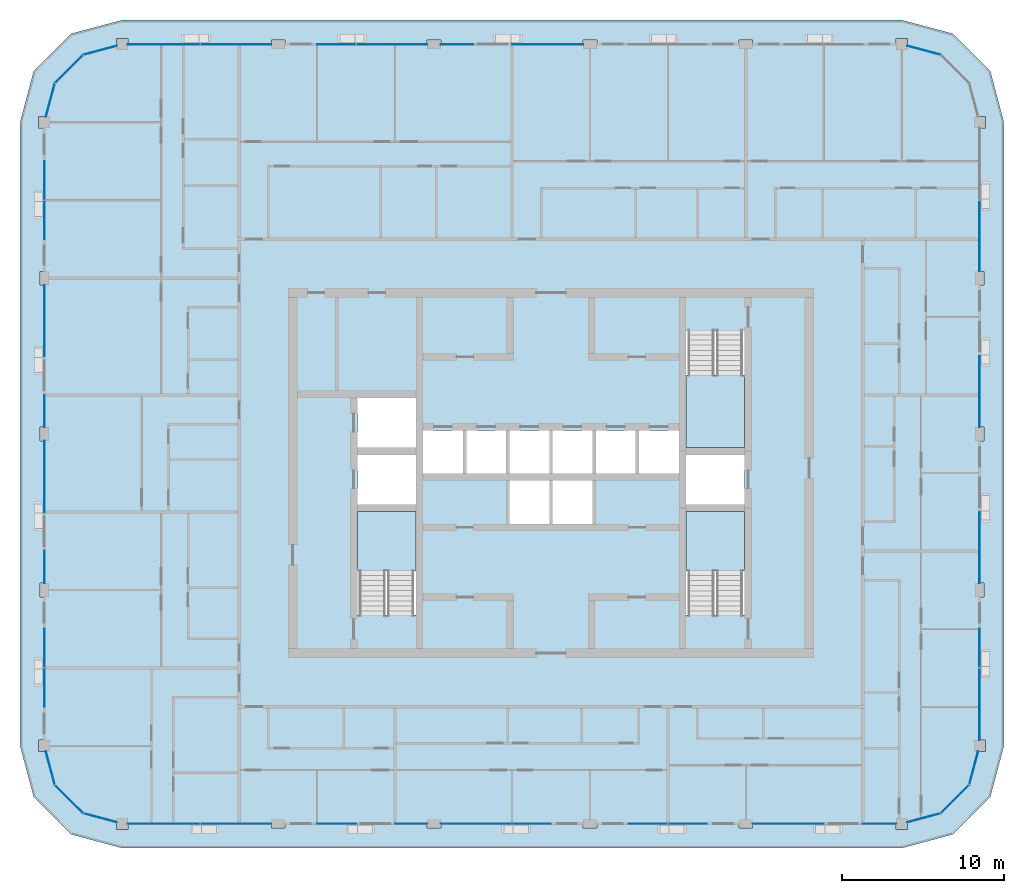
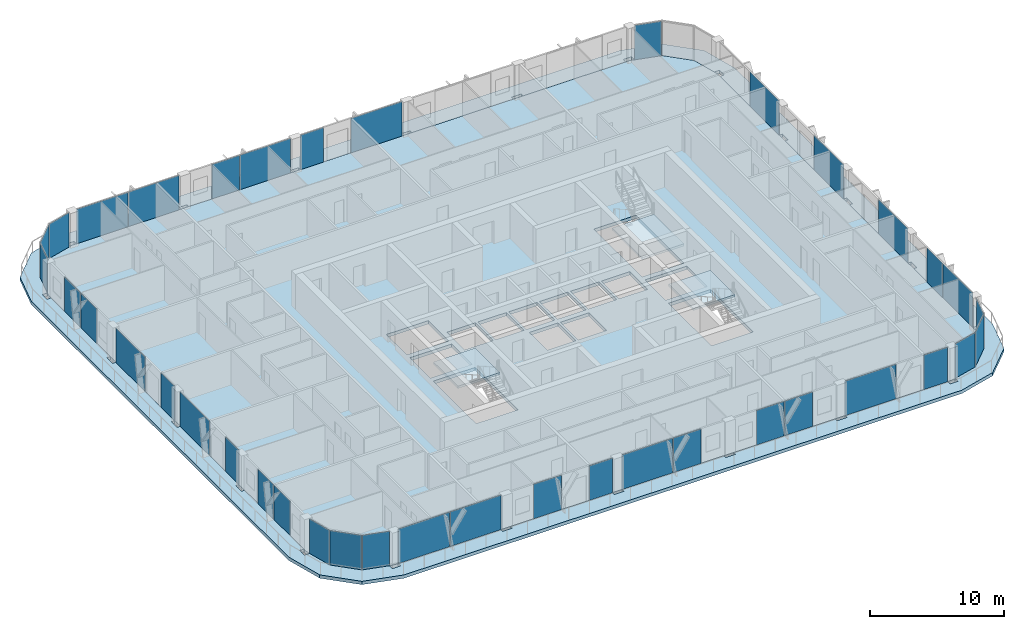
# One storey, part 7 of 21: 39 plates, 5 slabs, 23 elements without a shape of their own.
"""IFC4 building model written with IfcOpenShell, lengths in metres."""

from ifc_helpers import new_model, si_unit, direction, frame, origin, origin_2d, place, context, subcontext, project, spatial, polyline, rectangle, outline, extrude, material, layer, layer_set, type_object, element, aggregate, save


model = new_model("IFC4")

# Units and contexts
model_context = context("Model", 3, precision=1e-05, world=origin(), true_north=direction((0.0, 1.0)))
body_context = subcontext(model_context, "Body", "Model", "MODEL_VIEW")
ifc_project = project(units=[si_unit("LENGTHUNIT", "METRE"), si_unit("AREAUNIT", "SQUARE_METRE"), si_unit("VOLUMEUNIT", "CUBIC_METRE"), si_unit("PLANEANGLEUNIT", "RADIAN"), si_unit("MASSUNIT", "GRAM", prefix="KILO")], contexts=[model_context])

# Site, building, storey
site_placement = place(None, origin())
site = spatial("IfcSite", under=ifc_project, at=site_placement, CompositionType="ELEMENT")
building_placement = place(site_placement, origin())
building = spatial("IfcBuilding", under=site, at=building_placement, Name="Madar Terraces", CompositionType="ELEMENT")
storey_placement = place(building_placement, frame((0.0, 0.0, 252.699951171875)))
storey = spatial("IfcBuildingStorey", under=building, at=storey_placement, Name="L66", CompositionType="ELEMENT", Elevation=252.699951171875)

# Slabs
ifc_material_1 = material(Name="Concrete C50/60", Category="concrete")
ifc_layer_1 = layer(ifc_material_1, 0.300048828125)
ifc_layer_set_1 = layer_set([ifc_layer_1], Name="Balcony band 300")
slab_type_1 = type_object("IfcSlabType", Name="Balcony band 300", PredefinedType="FLOOR", material=ifc_layer_set_1)
slab_1_placement = place(storey_placement, frame((0.0, 0.0, -0.300048828125)))
element("IfcSlab", 1, at=slab_1_placement, inside=storey, type_object=slab_type_1, Name="Balcony band", PredefinedType="FLOOR", context=body_context, shape_type="SweptSolid", body=[
    extrude(outline(polyline([(4.800048828125, 3.300048828125), (1.64990234375, 4.14404296875), (-0.656005859375, 6.449951171875), (-1.5, 9.60009765625), (-1.5, 48.0), (-0.656005859375, 51.14990234375), (1.64990234375, 53.4560546875), (4.800048828125, 54.300048828125), (52.800048828125, 54.300048828125), (55.949951171875, 53.4560546875), (58.256103515625, 51.14990234375), (59.10009765625, 48.0), (59.10009765625, 9.60009765625), (58.256103515625, 6.449951171875), (55.949951171875, 4.14404296875), (52.800048828125, 3.300048828125), (4.800048828125, 3.300048828125)]), holes=[polyline([(5.14990234375, 4.449951171875), (5.14990234375, 4.800048828125), (13.97509765625, 4.800048828125), (13.97509765625, 4.52490234375), (14.824951171875, 4.52490234375), (14.824951171875, 4.800048828125), (23.574951171875, 4.800048828125), (23.574951171875, 4.52490234375), (24.425048828125, 4.52490234375), (24.425048828125, 4.800048828125), (33.175048828125, 4.800048828125), (33.175048828125, 4.52490234375), (34.02490234375, 4.52490234375), (34.02490234375, 4.800048828125), (42.77490234375, 4.800048828125), (42.77490234375, 4.52490234375), (43.625, 4.52490234375), (43.625, 4.800048828125), (52.449951171875, 4.800048828125), (52.449951171875, 4.449951171875), (53.14990234375, 4.449951171875), (53.14990234375, 4.893798828125), (55.199951171875, 5.443115234375), (56.956787109375, 7.199951171875), (57.506103515625, 9.25), (57.949951171875, 9.25), (57.949951171875, 9.949951171875), (57.60009765625, 9.949951171875), (57.60009765625, 18.77490234375), (57.875, 18.77490234375), (57.875, 19.625), (57.60009765625, 19.625), (57.60009765625, 28.375), (57.875, 28.375), (57.875, 29.22509765625), (57.60009765625, 29.22509765625), (57.60009765625, 37.97509765625), (57.875, 37.97509765625), (57.875, 38.824951171875), (57.60009765625, 38.824951171875), (57.60009765625, 47.64990234375), (57.949951171875, 47.64990234375), (57.949951171875, 48.35009765625), (57.506103515625, 48.35009765625), (56.956787109375, 50.39990234375), (55.199951171875, 52.156982421875), (53.14990234375, 52.706298828125), (53.14990234375, 53.14990234375), (52.449951171875, 53.14990234375), (52.449951171875, 52.800048828125), (43.625, 52.800048828125), (43.625, 53.074951171875), (42.77490234375, 53.074951171875), (42.77490234375, 52.800048828125), (34.02490234375, 52.800048828125), (34.02490234375, 53.074951171875), (33.175048828125, 53.074951171875), (33.175048828125, 52.800048828125), (24.425048828125, 52.800048828125), (24.425048828125, 53.074951171875), (23.574951171875, 53.074951171875), (23.574951171875, 52.800048828125), (14.824951171875, 52.800048828125), (14.824951171875, 53.074951171875), (13.97509765625, 53.074951171875), (13.97509765625, 52.800048828125), (5.14990234375, 52.800048828125), (5.14990234375, 53.14990234375), (4.449951171875, 53.14990234375), (4.449951171875, 52.706298828125), (2.39990234375, 52.156982421875), (0.64306640625, 50.39990234375), (0.09375, 48.35009765625), (-0.35009765625, 48.35009765625), (-0.35009765625, 47.64990234375), (0.0, 47.64990234375), (0.0, 38.824951171875), (-0.27490234375, 38.824951171875), (-0.27490234375, 37.97509765625), (0.0, 37.97509765625), (0.0, 29.22509765625), (-0.27490234375, 29.22509765625), (-0.27490234375, 28.375), (0.0, 28.375), (0.0, 19.625), (-0.27490234375, 19.625), (-0.27490234375, 18.77490234375), (0.0, 18.77490234375), (0.0, 9.949951171875), (-0.35009765625, 9.949951171875), (-0.35009765625, 9.25), (0.09375, 9.25), (0.64306640625, 7.199951171875), (2.39990234375, 5.443115234375), (4.449951171875, 4.893798828125), (4.449951171875, 4.449951171875), (5.14990234375, 4.449951171875)])]), origin(), (0.0, 0.0, 1.0), 0.300048828125),
])
ifc_material_2 = material(Name="Concrete C50/60", Category="concrete")
ifc_layer_2 = layer(ifc_material_2, 0.300048828125)
ifc_layer_set_2 = layer_set([ifc_layer_2], Name="FS2 PT flat slab 300")
slab_type_2 = type_object("IfcSlabType", Name="FS2 PT flat slab 300", PredefinedType="FLOOR", material=ifc_layer_set_2)
slab_2_placement = place(storey_placement, frame((0.0, 0.0, -0.300048828125)))
element("IfcSlab", 2, at=slab_2_placement, inside=storey, type_object=slab_type_2, Name="Floor slab L66 (1)", PredefinedType="FLOOR", context=body_context, shape_type="SweptSolid", body=[
    extrude(outline(polyline([(52.800048828125, 4.800048828125), (55.199951171875, 5.443115234375), (56.95703125, 7.199951171875), (57.60009765625, 9.60009765625), (57.60009765625, 48.0), (56.95703125, 50.39990234375), (55.199951171875, 52.156982421875), (52.800048828125, 52.800048828125), (4.800048828125, 52.800048828125), (2.39990234375, 52.156982421875), (0.64306640625, 50.39990234375), (0.0, 48.0), (0.0, 9.60009765625), (0.64306640625, 7.199951171875), (2.39990234375, 5.443115234375), (4.800048828125, 4.800048828125), (52.800048828125, 4.800048828125)]), holes=[polyline([(22.875, 17.64990234375), (19.27490234375, 17.64990234375), (19.27490234375, 24.02490234375), (22.875, 24.02490234375), (22.875, 17.64990234375)]), polyline([(28.6416015625, 23.27490234375), (28.6416015625, 25.925048828125), (31.10009765625, 25.925048828125), (31.10009765625, 23.27490234375), (28.6416015625, 23.27490234375)]), polyline([(19.27490234375, 24.47509765625), (19.27490234375, 27.52490234375), (22.875, 27.52490234375), (22.875, 24.47509765625), (19.27490234375, 24.47509765625)]), polyline([(23.324951171875, 26.375), (23.324951171875, 29.02490234375), (25.783447265625, 29.02490234375), (25.783447265625, 26.375), (23.324951171875, 26.375)]), polyline([(25.9833984375, 26.375), (25.9833984375, 29.02490234375), (28.441650390625, 29.02490234375), (28.441650390625, 26.375), (25.9833984375, 26.375)]), polyline([(28.6416015625, 26.375), (28.6416015625, 29.02490234375), (31.10009765625, 29.02490234375), (31.10009765625, 26.375), (28.6416015625, 26.375)]), polyline([(19.27490234375, 27.97509765625), (19.27490234375, 31.02490234375), (22.875, 31.02490234375), (22.875, 27.97509765625), (19.27490234375, 27.97509765625)]), polyline([(43.125, 17.64990234375), (39.52490234375, 17.64990234375), (39.52490234375, 24.02490234375), (43.125, 24.02490234375), (43.125, 17.64990234375)]), polyline([(31.300048828125, 23.27490234375), (31.300048828125, 25.925048828125), (33.75830078125, 25.925048828125), (33.75830078125, 23.27490234375), (31.300048828125, 23.27490234375)]), polyline([(39.52490234375, 24.47509765625), (39.52490234375, 27.52490234375), (43.125, 27.52490234375), (43.125, 24.47509765625), (39.52490234375, 24.47509765625)]), polyline([(31.300048828125, 26.375), (31.300048828125, 29.02490234375), (33.75830078125, 29.02490234375), (33.75830078125, 26.375), (31.300048828125, 26.375)]), polyline([(33.958251953125, 26.375), (33.958251953125, 29.02490234375), (36.416748046875, 29.02490234375), (36.416748046875, 26.375), (33.958251953125, 26.375)]), polyline([(36.61669921875, 26.375), (36.61669921875, 29.02490234375), (39.074951171875, 29.02490234375), (39.074951171875, 26.375), (36.61669921875, 26.375)]), polyline([(39.52490234375, 27.97509765625), (39.52490234375, 35.14990234375), (43.125, 35.14990234375), (43.125, 27.97509765625), (39.52490234375, 27.97509765625)])]), origin(), (0.0, 0.0, 1.0), 0.300048828125),
])

# Curtain wall, plates
ifc_material_3 = material(Name="Glass, ceramic frit dark grey, with black aluminium frame", Category="aluminium")
ifc_layer_3 = layer(ifc_material_3, 0.199951171875)
ifc_layer_set_3 = layer_set([ifc_layer_3], Name="Facade curtain wall, fritted glass")
curtain_wall_type = type_object("IfcCurtainWallType", Name="Facade curtain wall, fritted glass", PredefinedType="NOTDEFINED", material=ifc_layer_set_3)
curtain_wall_1_placement = place(storey_placement, origin())
curtain_wall_1 = element("IfcCurtainWall", 3, at=curtain_wall_1_placement, inside=storey, type_object=curtain_wall_type, Name="Outer skin curtain wall south bay 1", PredefinedType="NOTDEFINED")
ifc_material_4 = material(Name="Glass, ceramic frit dark grey", Category="glass")
ifc_layer_4 = layer(ifc_material_4, 0.028076171875)
ifc_layer_set_4 = layer_set([ifc_layer_4], Name="Facade glass panel 28")
plate_type = type_object("IfcPlateType", Name="Facade glass panel 28", PredefinedType="CURTAIN_PANEL", material=ifc_layer_set_4)
plate_1_placement = place(storey_placement, frame((7.360107421875, 4.800048828125, 0.0), z_axis=(0.0, 0.0, 1.0), x_axis=(1.0, 0.0, 0.0)))
plate_1 = element("IfcPlate", 4, at=plate_1_placement, type_object=plate_type, Name="Panel 1", PredefinedType="CURTAIN_PANEL", context=body_context, shape_type="SweptSolid", body=[
    extrude(rectangle(XDim=4.419921875, YDim=0.028076171875, at=origin_2d()), origin(), (0.0, 0.0, 1.0), 3.139892578125),
])
plate_2_placement = place(storey_placement, frame((11.802490234375, 4.800048828125, 0.0), z_axis=(0.0, 0.0, 1.0), x_axis=(1.0, 0.0, 0.0)))
plate_2 = element("IfcPlate", 5, at=plate_2_placement, type_object=plate_type, Name="Panel 2", PredefinedType="CURTAIN_PANEL", context=body_context, shape_type="SweptSolid", body=[
    extrude(rectangle(XDim=4.344970703125, YDim=0.028076171875, at=origin_2d()), origin(), (0.0, 0.0, 1.0), 3.139892578125),
])
aggregate(curtain_wall_1, [plate_1, plate_2])

curtain_wall_2_placement = place(storey_placement, origin())
curtain_wall_2 = element("IfcCurtainWall", 6, at=curtain_wall_2_placement, inside=storey, type_object=curtain_wall_type, Name="Outer skin curtain wall south bay 2", PredefinedType="NOTDEFINED")
plate_3_placement = place(storey_placement, frame((18.0, 4.800048828125, 0.0), z_axis=(0.0, 0.0, 1.0), x_axis=(1.0, 0.0, 0.0)))
plate_3 = element("IfcPlate", 7, at=plate_3_placement, type_object=plate_type, Name="Panel 1", PredefinedType="CURTAIN_PANEL", context=body_context, shape_type="SweptSolid", body=[
    extrude(rectangle(XDim=2.39990234375, YDim=0.028076171875, at=origin_2d()), origin(), (0.0, 0.0, 1.0), 3.139892578125),
])
plate_4_placement = place(storey_placement, frame((22.58740234375, 4.800048828125, 0.0), z_axis=(0.0, 0.0, 1.0), x_axis=(1.0, 0.0, 0.0)))
plate_4 = element("IfcPlate", 8, at=plate_4_placement, type_object=plate_type, Name="Panel 2", PredefinedType="CURTAIN_PANEL", context=body_context, shape_type="SweptSolid", body=[
    extrude(rectangle(XDim=1.97509765625, YDim=0.028076171875, at=origin_2d()), origin(), (0.0, 0.0, 1.0), 3.139892578125),
])
aggregate(curtain_wall_2, [plate_3, plate_4])

curtain_wall_3_placement = place(storey_placement, origin())
curtain_wall_3 = element("IfcCurtainWall", 9, at=curtain_wall_3_placement, inside=storey, type_object=curtain_wall_type, Name="Outer skin curtain wall south bay 3", PredefinedType="NOTDEFINED")
plate_5_placement = place(storey_placement, frame((26.597412109375, 4.800048828125, 0.0), z_axis=(0.0, 0.0, 1.0), x_axis=(1.0, 0.0, 0.0)))
plate_5 = element("IfcPlate", 10, at=plate_5_placement, type_object=plate_type, Name="Panel 1", PredefinedType="CURTAIN_PANEL", context=body_context, shape_type="SweptSolid", body=[
    extrude(rectangle(XDim=4.344970703125, YDim=0.028076171875, at=origin_2d()), origin(), (0.0, 0.0, 1.0), 3.139892578125),
])
plate_6_placement = place(storey_placement, frame((30.014892578125, 4.800048828125, 0.0), z_axis=(0.0, 0.0, 1.0), x_axis=(1.0, 0.0, 0.0)))
plate_6 = element("IfcPlate", 11, at=plate_6_placement, type_object=plate_type, Name="Panel 2", PredefinedType="CURTAIN_PANEL", context=body_context, shape_type="SweptSolid", body=[
    extrude(rectangle(XDim=2.3701171875, YDim=0.028076171875, at=origin_2d()), origin(), (0.0, 0.0, 1.0), 3.139892578125),
])
aggregate(curtain_wall_3, [plate_5, plate_6])

curtain_wall_4_placement = place(storey_placement, origin())
curtain_wall_4 = element("IfcCurtainWall", 12, at=curtain_wall_4_placement, inside=storey, type_object=curtain_wall_type, Name="Outer skin curtain wall south bay 4", PredefinedType="NOTDEFINED")
plate_7_placement = place(storey_placement, frame((37.18505859375, 4.800048828125, 0.0), z_axis=(0.0, 0.0, 1.0), x_axis=(1.0, 0.0, 0.0)))
plate_7 = element("IfcPlate", 13, at=plate_7_placement, type_object=plate_type, Name="Panel 1", PredefinedType="CURTAIN_PANEL", context=body_context, shape_type="SweptSolid", body=[
    extrude(rectangle(XDim=2.3701171875, YDim=0.028076171875, at=origin_2d()), origin(), (0.0, 0.0, 1.0), 3.139892578125),
])
plate_8_placement = place(storey_placement, frame((39.614990234375, 4.800048828125, 0.0), z_axis=(0.0, 0.0, 1.0), x_axis=(1.0, 0.0, 0.0)))
plate_8 = element("IfcPlate", 14, at=plate_8_placement, type_object=plate_type, Name="Panel 2", PredefinedType="CURTAIN_PANEL", context=body_context, shape_type="SweptSolid", body=[
    extrude(rectangle(XDim=2.3701171875, YDim=0.028076171875, at=origin_2d()), origin(), (0.0, 0.0, 1.0), 3.139892578125),
])
aggregate(curtain_wall_4, [plate_7, plate_8])

curtain_wall_5_placement = place(storey_placement, origin())
curtain_wall_5 = element("IfcCurtainWall", 15, at=curtain_wall_5_placement, inside=storey, type_object=curtain_wall_type, Name="Outer skin curtain wall south bay 5", PredefinedType="NOTDEFINED")
plate_9_placement = place(storey_placement, frame((45.8125, 4.800048828125, 0.0), z_axis=(0.0, 0.0, 1.0), x_axis=(1.0, 0.0, 0.0)))
plate_9 = element("IfcPlate", 16, at=plate_9_placement, type_object=plate_type, Name="Panel 1", PredefinedType="CURTAIN_PANEL", context=body_context, shape_type="SweptSolid", body=[
    extrude(rectangle(XDim=4.375, YDim=0.028076171875, at=origin_2d()), origin(), (0.0, 0.0, 1.0), 3.139892578125),
])
plate_10_placement = place(storey_placement, frame((51.425048828125, 4.800048828125, 0.0), z_axis=(0.0, 0.0, 1.0), x_axis=(1.0, 0.0, 0.0)))
plate_10 = element("IfcPlate", 17, at=plate_10_placement, type_object=plate_type, Name="Panel 2", PredefinedType="CURTAIN_PANEL", context=body_context, shape_type="SweptSolid", body=[
    extrude(rectangle(XDim=2.050048828125, YDim=0.028076171875, at=origin_2d()), origin(), (0.0, 0.0, 1.0), 3.139892578125),
])
aggregate(curtain_wall_5, [plate_9, plate_10])

curtain_wall_6_placement = place(storey_placement, origin())
curtain_wall_6 = element("IfcCurtainWall", 18, at=curtain_wall_6_placement, inside=storey, type_object=curtain_wall_type, Name="Outer skin curtain wall east bay 1", PredefinedType="NOTDEFINED")
plate_11_placement = place(storey_placement, frame((57.60009765625, 12.159912109375, 0.0), z_axis=(0.0, 0.0, 1.0), x_axis=(0.0, 1.0, 0.0)))
plate_11 = element("IfcPlate", 19, at=plate_11_placement, type_object=plate_type, Name="Panel 1", PredefinedType="CURTAIN_PANEL", context=body_context, shape_type="SweptSolid", body=[
    extrude(rectangle(XDim=4.419921875, YDim=0.028076171875, at=origin_2d()), origin(), (0.0, 0.0, 1.0), 3.139892578125),
])
plate_12_placement = place(storey_placement, frame((57.60009765625, 15.614990234375, 0.0), z_axis=(0.0, 0.0, 1.0), x_axis=(0.0, 1.0, 0.0)))
plate_12 = element("IfcPlate", 20, at=plate_12_placement, type_object=plate_type, Name="Panel 2", PredefinedType="CURTAIN_PANEL", context=body_context, shape_type="SweptSolid", body=[
    extrude(rectangle(XDim=2.3701171875, YDim=0.028076171875, at=origin_2d()), origin(), (0.0, 0.0, 1.0), 3.139892578125),
])
aggregate(curtain_wall_6, [plate_11, plate_12])

# Curtain wall, plate
curtain_wall_7_placement = place(storey_placement, origin())
curtain_wall_7 = element("IfcCurtainWall", 21, at=curtain_wall_7_placement, inside=storey, type_object=curtain_wall_type, Name="Outer skin curtain wall east bay 2", PredefinedType="NOTDEFINED")
plate_13_placement = place(storey_placement, frame((57.60009765625, 21.8125, 0.0), z_axis=(0.0, 0.0, 1.0), x_axis=(0.0, 1.0, 0.0)))
plate_13 = element("IfcPlate", 22, at=plate_13_placement, type_object=plate_type, Name="Panel 1", PredefinedType="CURTAIN_PANEL", context=body_context, shape_type="SweptSolid", body=[
    extrude(rectangle(XDim=4.375, YDim=0.028076171875, at=origin_2d()), origin(), (0.0, 0.0, 1.0), 3.139892578125),
])
aggregate(curtain_wall_7, [plate_13])

curtain_wall_8_placement = place(storey_placement, origin())
curtain_wall_8 = element("IfcCurtainWall", 23, at=curtain_wall_8_placement, inside=storey, type_object=curtain_wall_type, Name="Outer skin curtain wall east bay 3", PredefinedType="NOTDEFINED")
plate_14_placement = place(storey_placement, frame((57.60009765625, 31.41259765625, 0.0), z_axis=(0.0, 0.0, 1.0), x_axis=(0.0, 1.0, 0.0)))
plate_14 = element("IfcPlate", 24, at=plate_14_placement, type_object=plate_type, Name="Panel 1", PredefinedType="CURTAIN_PANEL", context=body_context, shape_type="SweptSolid", body=[
    extrude(rectangle(XDim=4.375, YDim=0.028076171875, at=origin_2d()), origin(), (0.0, 0.0, 1.0), 3.139892578125),
])
aggregate(curtain_wall_8, [plate_14])

curtain_wall_9_placement = place(storey_placement, origin())
curtain_wall_9 = element("IfcCurtainWall", 25, at=curtain_wall_9_placement, inside=storey, type_object=curtain_wall_type, Name="Outer skin curtain wall east bay 4", PredefinedType="NOTDEFINED")
plate_15_placement = place(storey_placement, frame((57.60009765625, 40.99755859375, 0.0), z_axis=(0.0, 0.0, 1.0), x_axis=(0.0, 1.0, 0.0)))
plate_15 = element("IfcPlate", 26, at=plate_15_placement, type_object=plate_type, Name="Panel 1", PredefinedType="CURTAIN_PANEL", context=body_context, shape_type="SweptSolid", body=[
    extrude(rectangle(XDim=4.344970703125, YDim=0.028076171875, at=origin_2d()), origin(), (0.0, 0.0, 1.0), 3.139892578125),
])
aggregate(curtain_wall_9, [plate_15])

# Curtain wall, plates
curtain_wall_10_placement = place(storey_placement, origin())
curtain_wall_10 = element("IfcCurtainWall", 27, at=curtain_wall_10_placement, inside=storey, type_object=curtain_wall_type, Name="Outer skin curtain wall north bay 3", PredefinedType="NOTDEFINED")
plate_16_placement = place(storey_placement, frame((30.987548828125, 52.800048828125, 0.0), z_axis=(0.0, 0.0, 1.0), x_axis=(-1.0, 0.0, 0.0)))
plate_16 = element("IfcPlate", 28, at=plate_16_placement, type_object=plate_type, Name="Panel 1", PredefinedType="CURTAIN_PANEL", context=body_context, shape_type="SweptSolid", body=[
    extrude(rectangle(XDim=4.375, YDim=0.028076171875, at=origin_2d()), origin(), (0.0, 0.0, 1.0), 3.139892578125),
])
plate_17_placement = place(storey_placement, frame((25.41259765625, 52.800048828125, 0.0), z_axis=(0.0, 0.0, 1.0), x_axis=(-1.0, 0.0, 0.0)))
plate_17 = element("IfcPlate", 29, at=plate_17_placement, type_object=plate_type, Name="Panel 2", PredefinedType="CURTAIN_PANEL", context=body_context, shape_type="SweptSolid", body=[
    extrude(rectangle(XDim=1.97509765625, YDim=0.028076171875, at=origin_2d()), origin(), (0.0, 0.0, 1.0), 3.139892578125),
])
aggregate(curtain_wall_10, [plate_16, plate_17])

curtain_wall_11_placement = place(storey_placement, origin())
curtain_wall_11 = element("IfcCurtainWall", 30, at=curtain_wall_11_placement, inside=storey, type_object=curtain_wall_type, Name="Outer skin curtain wall north bay 4", PredefinedType="NOTDEFINED")
plate_18_placement = place(storey_placement, frame((21.402587890625, 52.800048828125, 0.0), z_axis=(0.0, 0.0, 1.0), x_axis=(-1.0, 0.0, 0.0)))
plate_18 = element("IfcPlate", 31, at=plate_18_placement, type_object=plate_type, Name="Panel 1", PredefinedType="CURTAIN_PANEL", context=body_context, shape_type="SweptSolid", body=[
    extrude(rectangle(XDim=4.344970703125, YDim=0.028076171875, at=origin_2d()), origin(), (0.0, 0.0, 1.0), 3.139892578125),
])
plate_19_placement = place(storey_placement, frame((17.985107421875, 52.800048828125, 0.0), z_axis=(0.0, 0.0, 1.0), x_axis=(-1.0, 0.0, 0.0)))
plate_19 = element("IfcPlate", 32, at=plate_19_placement, type_object=plate_type, Name="Panel 2", PredefinedType="CURTAIN_PANEL", context=body_context, shape_type="SweptSolid", body=[
    extrude(rectangle(XDim=2.3701171875, YDim=0.028076171875, at=origin_2d()), origin(), (0.0, 0.0, 1.0), 3.139892578125),
])
aggregate(curtain_wall_11, [plate_18, plate_19])

curtain_wall_12_placement = place(storey_placement, origin())
curtain_wall_12 = element("IfcCurtainWall", 33, at=curtain_wall_12_placement, inside=storey, type_object=curtain_wall_type, Name="Outer skin curtain wall north bay 5", PredefinedType="NOTDEFINED")
plate_20_placement = place(storey_placement, frame((11.802490234375, 52.800048828125, 0.0), z_axis=(0.0, 0.0, 1.0), x_axis=(-1.0, 0.0, 0.0)))
plate_20 = element("IfcPlate", 34, at=plate_20_placement, type_object=plate_type, Name="Panel 1", PredefinedType="CURTAIN_PANEL", context=body_context, shape_type="SweptSolid", body=[
    extrude(rectangle(XDim=4.344970703125, YDim=0.028076171875, at=origin_2d()), origin(), (0.0, 0.0, 1.0), 3.139892578125),
])
plate_21_placement = place(storey_placement, frame((7.360107421875, 52.800048828125, 0.0), z_axis=(0.0, 0.0, 1.0), x_axis=(-1.0, 0.0, 0.0)))
plate_21 = element("IfcPlate", 35, at=plate_21_placement, type_object=plate_type, Name="Panel 2", PredefinedType="CURTAIN_PANEL", context=body_context, shape_type="SweptSolid", body=[
    extrude(rectangle(XDim=4.419921875, YDim=0.028076171875, at=origin_2d()), origin(), (0.0, 0.0, 1.0), 3.139892578125),
])
aggregate(curtain_wall_12, [plate_20, plate_21])

curtain_wall_13_placement = place(storey_placement, origin())
curtain_wall_13 = element("IfcCurtainWall", 36, at=curtain_wall_13_placement, inside=storey, type_object=curtain_wall_type, Name="Outer skin curtain wall west bay 1", PredefinedType="NOTDEFINED")
plate_22_placement = place(storey_placement, frame((0.0, 44.4150390625, 0.0), z_axis=(0.0, 0.0, 1.0), x_axis=(0.0, -1.0, 0.0)))
plate_22 = element("IfcPlate", 37, at=plate_22_placement, type_object=plate_type, Name="Panel 1", PredefinedType="CURTAIN_PANEL", context=body_context, shape_type="SweptSolid", body=[
    extrude(rectangle(XDim=2.3701171875, YDim=0.028076171875, at=origin_2d()), origin(), (0.0, 0.0, 1.0), 3.139892578125),
])
plate_23_placement = place(storey_placement, frame((0.0, 41.985107421875, 0.0), z_axis=(0.0, 0.0, 1.0), x_axis=(0.0, -1.0, 0.0)))
plate_23 = element("IfcPlate", 38, at=plate_23_placement, type_object=plate_type, Name="Panel 2", PredefinedType="CURTAIN_PANEL", context=body_context, shape_type="SweptSolid", body=[
    extrude(rectangle(XDim=2.3701171875, YDim=0.028076171875, at=origin_2d()), origin(), (0.0, 0.0, 1.0), 3.139892578125),
])
aggregate(curtain_wall_13, [plate_22, plate_23])

curtain_wall_14_placement = place(storey_placement, origin())
curtain_wall_14 = element("IfcCurtainWall", 39, at=curtain_wall_14_placement, inside=storey, type_object=curtain_wall_type, Name="Outer skin curtain wall west bay 2", PredefinedType="NOTDEFINED")
plate_24_placement = place(storey_placement, frame((0.0, 35.78759765625, 0.0), z_axis=(0.0, 0.0, 1.0), x_axis=(0.0, -1.0, 0.0)))
plate_24 = element("IfcPlate", 40, at=plate_24_placement, type_object=plate_type, Name="Panel 1", PredefinedType="CURTAIN_PANEL", context=body_context, shape_type="SweptSolid", body=[
    extrude(rectangle(XDim=4.375, YDim=0.028076171875, at=origin_2d()), origin(), (0.0, 0.0, 1.0), 3.139892578125),
])
plate_25_placement = place(storey_placement, frame((0.0, 30.21240234375, 0.0), z_axis=(0.0, 0.0, 1.0), x_axis=(0.0, -1.0, 0.0)))
plate_25 = element("IfcPlate", 41, at=plate_25_placement, type_object=plate_type, Name="Panel 2", PredefinedType="CURTAIN_PANEL", context=body_context, shape_type="SweptSolid", body=[
    extrude(rectangle(XDim=1.97509765625, YDim=0.028076171875, at=origin_2d()), origin(), (0.0, 0.0, 1.0), 3.139892578125),
])
aggregate(curtain_wall_14, [plate_24, plate_25])

curtain_wall_15_placement = place(storey_placement, origin())
curtain_wall_15 = element("IfcCurtainWall", 42, at=curtain_wall_15_placement, inside=storey, type_object=curtain_wall_type, Name="Outer skin curtain wall west bay 3", PredefinedType="NOTDEFINED")
plate_26_placement = place(storey_placement, frame((0.0, 26.1875, 0.0), z_axis=(0.0, 0.0, 1.0), x_axis=(0.0, -1.0, 0.0)))
plate_26 = element("IfcPlate", 43, at=plate_26_placement, type_object=plate_type, Name="Panel 1", PredefinedType="CURTAIN_PANEL", context=body_context, shape_type="SweptSolid", body=[
    extrude(rectangle(XDim=4.375, YDim=0.028076171875, at=origin_2d()), origin(), (0.0, 0.0, 1.0), 3.139892578125),
])
plate_27_placement = place(storey_placement, frame((0.0, 20.612548828125, 0.0), z_axis=(0.0, 0.0, 1.0), x_axis=(0.0, -1.0, 0.0)))
plate_27 = element("IfcPlate", 44, at=plate_27_placement, type_object=plate_type, Name="Panel 2", PredefinedType="CURTAIN_PANEL", context=body_context, shape_type="SweptSolid", body=[
    extrude(rectangle(XDim=1.97509765625, YDim=0.028076171875, at=origin_2d()), origin(), (0.0, 0.0, 1.0), 3.139892578125),
])
aggregate(curtain_wall_15, [plate_26, plate_27])

curtain_wall_16_placement = place(storey_placement, origin())
curtain_wall_16 = element("IfcCurtainWall", 45, at=curtain_wall_16_placement, inside=storey, type_object=curtain_wall_type, Name="Outer skin curtain wall west bay 4", PredefinedType="NOTDEFINED")
plate_28_placement = place(storey_placement, frame((0.0, 15.614990234375, 0.0), z_axis=(0.0, 0.0, 1.0), x_axis=(0.0, -1.0, 0.0)))
plate_28 = element("IfcPlate", 46, at=plate_28_placement, type_object=plate_type, Name="Panel 1", PredefinedType="CURTAIN_PANEL", context=body_context, shape_type="SweptSolid", body=[
    extrude(rectangle(XDim=2.3701171875, YDim=0.028076171875, at=origin_2d()), origin(), (0.0, 0.0, 1.0), 3.139892578125),
])
plate_29_placement = place(storey_placement, frame((0.0, 13.18505859375, 0.0), z_axis=(0.0, 0.0, 1.0), x_axis=(0.0, -1.0, 0.0)))
plate_29 = element("IfcPlate", 47, at=plate_29_placement, type_object=plate_type, Name="Panel 2", PredefinedType="CURTAIN_PANEL", context=body_context, shape_type="SweptSolid", body=[
    extrude(rectangle(XDim=2.3701171875, YDim=0.028076171875, at=origin_2d()), origin(), (0.0, 0.0, 1.0), 3.139892578125),
])
aggregate(curtain_wall_16, [plate_28, plate_29])

curtain_wall_17_placement = place(storey_placement, origin())
curtain_wall_17 = element("IfcCurtainWall", 48, at=curtain_wall_17_placement, inside=storey, type_object=curtain_wall_type, Name="Outer skin curtain wall south-east corner", PredefinedType="NOTDEFINED")
plate_30_placement = place(storey_placement, frame((54.160400390625, 5.16455078125, 0.0), z_axis=(0.0, 0.0, 1.0), x_axis=(0.965925832509, 0.258819021888, 0.0)))
plate_30 = element("IfcPlate", 49, at=plate_30_placement, type_object=plate_type, Name="Panel 1", PredefinedType="CURTAIN_PANEL", context=body_context, shape_type="SweptSolid", body=[
    extrude(rectangle(XDim=2.09228515625, YDim=0.028076171875, at=origin_2d()), origin(), (0.0, 0.0, 1.0), 3.139892578125),
])
plate_31_placement = place(storey_placement, frame((56.078369140625, 6.321533203125, 0.0), z_axis=(0.0, 0.0, 1.0), x_axis=(0.707106781187, 0.707106781187, 0.0)))
plate_31 = element("IfcPlate", 50, at=plate_31_placement, type_object=plate_type, Name="Panel 2", PredefinedType="CURTAIN_PANEL", context=body_context, shape_type="SweptSolid", body=[
    extrude(rectangle(XDim=2.424560546875, YDim=0.028076171875, at=origin_2d()), origin(), (0.0, 0.0, 1.0), 3.139892578125),
])
plate_32_placement = place(storey_placement, frame((57.2353515625, 8.239501953125, 0.0), z_axis=(0.0, 0.0, 1.0), x_axis=(0.258819021888, 0.965925832509, 0.0)))
plate_32 = element("IfcPlate", 51, at=plate_32_placement, type_object=plate_type, Name="Panel 3", PredefinedType="CURTAIN_PANEL", context=body_context, shape_type="SweptSolid", body=[
    extrude(rectangle(XDim=2.09228515625, YDim=0.028076171875, at=origin_2d()), origin(), (0.0, 0.0, 1.0), 3.139892578125),
])
aggregate(curtain_wall_17, [plate_30, plate_31, plate_32])

# Curtain wall, plate
curtain_wall_18_placement = place(storey_placement, origin())
curtain_wall_18 = element("IfcCurtainWall", 52, at=curtain_wall_18_placement, inside=storey, type_object=curtain_wall_type, Name="Outer skin curtain wall north-east corner", PredefinedType="NOTDEFINED")
plate_33_placement = place(storey_placement, frame((54.160400390625, 52.435546875, 0.0), z_axis=(0.0, 0.0, 1.0), x_axis=(-0.965925832509, 0.258819021888, 0.0)))
plate_33 = element("IfcPlate", 53, at=plate_33_placement, type_object=plate_type, Name="Panel 3", PredefinedType="CURTAIN_PANEL", context=body_context, shape_type="SweptSolid", body=[
    extrude(rectangle(XDim=2.09228515625, YDim=0.028076171875, at=origin_2d()), origin(), (0.0, 0.0, 1.0), 3.139892578125),
])
aggregate(curtain_wall_18, [plate_33])

# Curtain wall, plates
curtain_wall_19_placement = place(storey_placement, origin())
curtain_wall_19 = element("IfcCurtainWall", 54, at=curtain_wall_19_placement, inside=storey, type_object=curtain_wall_type, Name="Outer skin curtain wall north-west corner", PredefinedType="NOTDEFINED")
plate_34_placement = place(storey_placement, frame((3.439453125, 52.435546875, 0.0), z_axis=(0.0, 0.0, 1.0), x_axis=(-0.965925832509, -0.258819021888, 0.0)))
plate_34 = element("IfcPlate", 55, at=plate_34_placement, type_object=plate_type, Name="Panel 1", PredefinedType="CURTAIN_PANEL", context=body_context, shape_type="SweptSolid", body=[
    extrude(rectangle(XDim=2.09228515625, YDim=0.028076171875, at=origin_2d()), origin(), (0.0, 0.0, 1.0), 3.139892578125),
])
plate_35_placement = place(storey_placement, frame((1.521484375, 51.278564453125, 0.0), z_axis=(0.0, 0.0, 1.0), x_axis=(-0.707106781187, -0.707106781187, 0.0)))
plate_35 = element("IfcPlate", 56, at=plate_35_placement, type_object=plate_type, Name="Panel 2", PredefinedType="CURTAIN_PANEL", context=body_context, shape_type="SweptSolid", body=[
    extrude(rectangle(XDim=2.424560546875, YDim=0.028076171875, at=origin_2d()), origin(), (0.0, 0.0, 1.0), 3.139892578125),
])
plate_36_placement = place(storey_placement, frame((0.364501953125, 49.360595703125, 0.0), z_axis=(0.0, 0.0, 1.0), x_axis=(-0.258819021888, -0.965925832509, 0.0)))
plate_36 = element("IfcPlate", 57, at=plate_36_placement, type_object=plate_type, Name="Panel 3", PredefinedType="CURTAIN_PANEL", context=body_context, shape_type="SweptSolid", body=[
    extrude(rectangle(XDim=2.09228515625, YDim=0.028076171875, at=origin_2d()), origin(), (0.0, 0.0, 1.0), 3.139892578125),
])
aggregate(curtain_wall_19, [plate_34, plate_35, plate_36])

curtain_wall_20_placement = place(storey_placement, origin())
curtain_wall_20 = element("IfcCurtainWall", 58, at=curtain_wall_20_placement, inside=storey, type_object=curtain_wall_type, Name="Outer skin curtain wall south-west corner", PredefinedType="NOTDEFINED")
plate_37_placement = place(storey_placement, frame((0.364501953125, 8.239501953125, 0.0), z_axis=(0.0, 0.0, 1.0), x_axis=(0.258819021888, -0.965925832509, 0.0)))
plate_37 = element("IfcPlate", 59, at=plate_37_placement, type_object=plate_type, Name="Panel 1", PredefinedType="CURTAIN_PANEL", context=body_context, shape_type="SweptSolid", body=[
    extrude(rectangle(XDim=2.09228515625, YDim=0.028076171875, at=origin_2d()), origin(), (0.0, 0.0, 1.0), 3.139892578125),
])
plate_38_placement = place(storey_placement, frame((1.521484375, 6.321533203125, 0.0), z_axis=(0.0, 0.0, 1.0), x_axis=(0.707106781187, -0.707106781187, 0.0)))
plate_38 = element("IfcPlate", 60, at=plate_38_placement, type_object=plate_type, Name="Panel 2", PredefinedType="CURTAIN_PANEL", context=body_context, shape_type="SweptSolid", body=[
    extrude(rectangle(XDim=2.424560546875, YDim=0.028076171875, at=origin_2d()), origin(), (0.0, 0.0, 1.0), 3.139892578125),
])
plate_39_placement = place(storey_placement, frame((3.439453125, 5.16455078125, 0.0), z_axis=(0.0, 0.0, 1.0), x_axis=(0.965925832509, -0.258819021888, 0.0)))
plate_39 = element("IfcPlate", 61, at=plate_39_placement, type_object=plate_type, Name="Panel 3", PredefinedType="CURTAIN_PANEL", context=body_context, shape_type="SweptSolid", body=[
    extrude(rectangle(XDim=2.09228515625, YDim=0.028076171875, at=origin_2d()), origin(), (0.0, 0.0, 1.0), 3.139892578125),
])
aggregate(curtain_wall_20, [plate_37, plate_38, plate_39])

# Stair, slab
ifc_material_5 = material(Name="Concrete C50/60", Category="concrete")
stair_type_1 = type_object("IfcStairType", Name="Stair ST1 protected exit", PredefinedType="HALF_TURN_STAIR", material=ifc_material_5)
stair_1_placement = place(storey_placement, origin())
stair_1 = element("IfcStair", 62, at=stair_1_placement, inside=storey, type_object=stair_type_1, Name="L66 Protected Exit Stair ST1", PredefinedType="HALF_TURN_STAIR")
ifc_material_6 = material(Name="Concrete C50/60", Category="concrete")
ifc_layer_5 = layer(ifc_material_6, 0.199951171875)
ifc_layer_set_5 = layer_set([ifc_layer_5], Name="Stair landing 200, top +1.75")
slab_type_3 = type_object("IfcSlabType", Name="Stair landing 200, top +1.75", PredefinedType="LANDING", material=ifc_layer_set_5)
slab_3_placement = place(storey_placement, frame((0.0, 0.0, 1.550048828125)))
slab_3 = element("IfcSlab", 63, at=slab_3_placement, type_object=slab_type_3, Name="ST1 landing 1", PredefinedType="LANDING", context=body_context, shape_type="SweptSolid", body=[
    extrude(outline(polyline([(19.27490234375, 20.360107421875), (22.875, 20.360107421875), (22.875, 24.02490234375), (19.27490234375, 24.02490234375), (19.27490234375, 20.360107421875)])), origin(), (0.0, 0.0, 1.0), 0.199951171875),
])
aggregate(stair_1, [slab_3])

ifc_material_7 = material(Name="Concrete C50/60", Category="concrete")
stair_type_2 = type_object("IfcStairType", Name="Stair ST2 protected exit", PredefinedType="HALF_TURN_STAIR", material=ifc_material_7)
stair_2_placement = place(storey_placement, origin())
stair_2 = element("IfcStair", 64, at=stair_2_placement, inside=storey, type_object=stair_type_2, Name="L66 Protected Exit Stair ST2", PredefinedType="HALF_TURN_STAIR")
slab_4_placement = place(storey_placement, frame((0.0, 0.0, 1.550048828125)))
slab_4 = element("IfcSlab", 65, at=slab_4_placement, type_object=slab_type_3, Name="ST2 landing 1", PredefinedType="LANDING", context=body_context, shape_type="SweptSolid", body=[
    extrude(outline(polyline([(39.52490234375, 27.97509765625), (43.125, 27.97509765625), (43.125, 32.43994140625), (39.52490234375, 32.43994140625), (39.52490234375, 27.97509765625)])), origin(), (0.0, 0.0, 1.0), 0.199951171875),
])
aggregate(stair_2, [slab_4])

ifc_material_8 = material(Name="Concrete C50/60", Category="concrete")
stair_type_3 = type_object("IfcStairType", Name="Stair ST3 protected exit", PredefinedType="HALF_TURN_STAIR", material=ifc_material_8)
stair_3_placement = place(storey_placement, origin())
stair_3 = element("IfcStair", 66, at=stair_3_placement, inside=storey, type_object=stair_type_3, Name="L66 Protected Exit Stair ST3", PredefinedType="HALF_TURN_STAIR")
slab_5_placement = place(storey_placement, frame((0.0, 0.0, 1.550048828125)))
slab_5 = element("IfcSlab", 67, at=slab_5_placement, type_object=slab_type_3, Name="ST3 landing 1", PredefinedType="LANDING", context=body_context, shape_type="SweptSolid", body=[
    extrude(outline(polyline([(39.52490234375, 20.360107421875), (43.125, 20.360107421875), (43.125, 24.02490234375), (39.52490234375, 24.02490234375), (39.52490234375, 20.360107421875)])), origin(), (0.0, 0.0, 1.0), 0.199951171875),
])
aggregate(stair_3, [slab_5])

save(model, "model.ifc")
